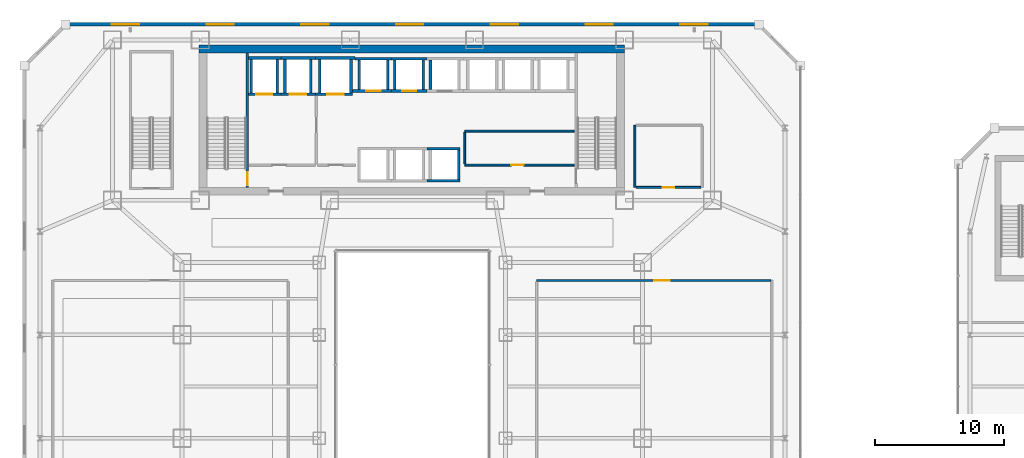
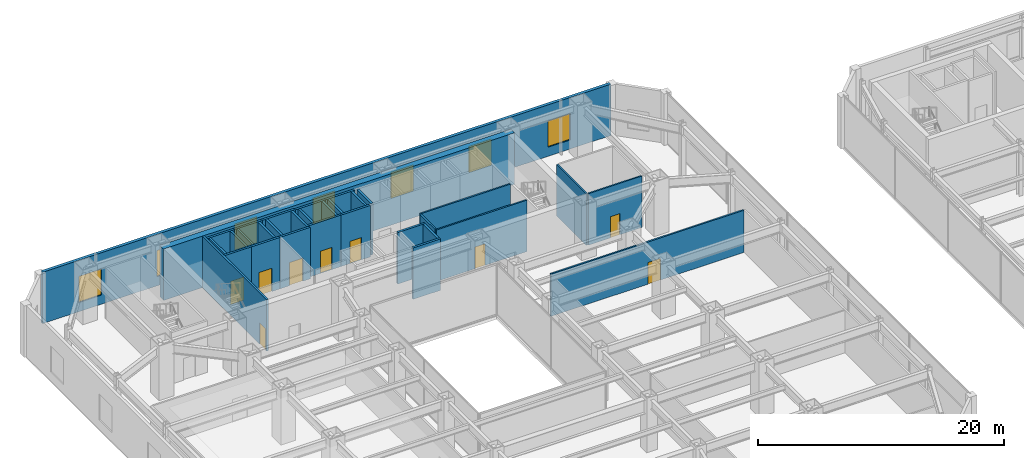
# One storey, part 40 of 51: 33 walls, 9 doors, 7 windows, 16 openings.
"""IFC4 building model written with IfcOpenShell, lengths in metres."""

from ifc_helpers import new_model, si_unit, direction, frame, frame_2d, origin, place, context, subcontext, project, spatial, rectangle, extrude, material, layer, layer_set, type_object, element, fill, save


model = new_model("IFC4")

# Units and contexts
model_context = context("Model", 3, precision=1e-05, world=origin(), true_north=direction((0.0, 1.0)))
body_context = subcontext(model_context, "Body", "Model", "MODEL_VIEW")
ifc_project = project(units=[si_unit("LENGTHUNIT", "METRE"), si_unit("AREAUNIT", "SQUARE_METRE"), si_unit("VOLUMEUNIT", "CUBIC_METRE"), si_unit("PLANEANGLEUNIT", "RADIAN"), si_unit("MASSUNIT", "GRAM", prefix="KILO")], contexts=[model_context])

# Site, building, storey
site_placement = place(None, origin())
site = spatial("IfcSite", under=ifc_project, at=site_placement, CompositionType="ELEMENT")
building_placement = place(site_placement, origin())
building = spatial("IfcBuilding", under=site, at=building_placement, Name="Saevonmaru Cultural Tower", CompositionType="ELEMENT")
storey_placement = place(building_placement, frame((0.0, 0.0, 6.0)))
storey = spatial("IfcBuildingStorey", under=building, at=storey_placement, Name="L01", CompositionType="ELEMENT", Elevation=6.0)

# Wall
ifc_material_1 = material(Name="Concrete C60/75", Category="concrete")
ifc_layer_1 = layer(ifc_material_1, 0.60009765625, Name="Concrete C60/75")
ifc_layer_set_1 = layer_set([ifc_layer_1], Name="Concrete C60/75")
wall_type_1 = type_object("IfcWallType", Name="WL-CORE-600", PredefinedType="SHEAR", material=ifc_layer_set_1)
wall_1_placement = place(storey_placement, frame((13.5, 54.10009765625, 0.0), z_axis=(0.0, 0.0, 1.0), x_axis=(1.0, 0.0, 0.0)))
element("IfcWall", 1, at=wall_1_placement, inside=storey, type_object=wall_type_1, Name="L01 Tower RC core shear wall N", PredefinedType="SHEAR", context=body_context, shape_type="SweptSolid", body=[
    extrude(rectangle(XDim=32.89990234375, YDim=0.60009765625, at=frame_2d((16.449951171875, 0.0))), origin(), (0.0, 0.0, 1.0), 5.10009765625),
])

# Wall, opening, door
ifc_material_2 = material(Name="Gypsum Fireboard Partition", Category="gypsum")
ifc_layer_2 = layer(ifc_material_2, 0.14990234375, Name="Gypsum Fireboard Partition")
ifc_layer_set_2 = layer_set([ifc_layer_2], Name="Gypsum Fireboard Partition")
wall_type_2 = type_object("IfcWallType", Name="WL-CORE-PART-150", PredefinedType="PARTITIONING", material=ifc_layer_set_2)
wall_2_placement = place(storey_placement, frame((34.050048828125, 45.1201171875, 0.0), z_axis=(0.0, 0.0, 1.0), x_axis=(1.0, 0.0, 0.0)))
wall_2 = element("IfcWall", 2, at=wall_2_placement, inside=storey, type_object=wall_type_2, Name="L01 Core Service South Wall", PredefinedType="PARTITIONING", context=body_context, shape_type="SweptSolid", body=[
    extrude(rectangle(XDim=8.449951171875, YDim=0.14990234375, at=frame_2d((4.22509765625, 0.0))), origin(), (0.0, 0.0, 1.0), 5.10009765625),
])
opening_1_placement = place(wall_2_placement, frame((3.60009765625, 0.0, 0.0)))
opening_1 = element("IfcOpeningElement", 3, at=opening_1_placement, cuts=wall_2, Name="Opening FD-4", PredefinedType="OPENING", context=body_context, shape_type="SweptSolid", body=[
    extrude(rectangle(XDim=0.949951171875, YDim=2.14990234375, at=frame_2d((0.47509765625, 1.074951171875))), frame((0.0, 0.0849609375, 0.0), z_axis=(0.0, -1.0, 0.0), x_axis=(1.0, 0.0, 0.0)), (0.0, 0.0, 1.0), 0.169921875),
])
ifc_material_3 = material(Name="Satin Bronze Anodised Aluminium", Category="aluminium")
door_type_1 = type_object("IfcDoorType", Name="DR-FD60-950", OperationType="SINGLE_SWING_LEFT", PredefinedType="DOOR", material=ifc_material_3)
door_1_placement = place(opening_1_placement, origin())
door_1 = element("IfcDoor", 4, at=door_1_placement, inside=storey, type_object=door_type_1, Name="L01 Telecom Riser Plant Door", OperationType="SINGLE_SWING_LEFT", OverallHeight=2.14990234375, OverallWidth=0.949951171875, PredefinedType="DOOR", context=body_context, shape_type="SweptSolid", body=[
    extrude(rectangle(XDim=0.949951171875, YDim=2.14990234375, at=frame_2d((0.47509765625, 1.074951171875))), frame((0.0, 0.02490234375, 0.0), z_axis=(0.0, -1.0, 0.0), x_axis=(1.0, 0.0, 0.0)), (0.0, 0.0, 1.0), 0.050048828125),
])
fill(opening_1, door_1)

# Walls
wall_3_placement = place(storey_placement, frame((34.050048828125, 47.75, 0.0), z_axis=(0.0, 0.0, 1.0), x_axis=(1.0, 0.0, 0.0)))
element("IfcWall", 5, at=wall_3_placement, inside=storey, type_object=wall_type_2, Name="L01 Core Service North Wall", PredefinedType="PARTITIONING", context=body_context, shape_type="SweptSolid", body=[
    extrude(rectangle(XDim=8.449951171875, YDim=0.14990234375, at=frame_2d((4.22509765625, 0.0))), origin(), (0.0, 0.0, 1.0), 5.10009765625),
])
wall_4_placement = place(storey_placement, frame((34.050048828125, 45.219970703125, 0.0), z_axis=(0.0, 0.0, 1.0), x_axis=(0.0, 1.0, 0.0)))
element("IfcWall", 6, at=wall_4_placement, inside=storey, type_object=wall_type_2, Name="L01 Core Service West Wall", PredefinedType="PARTITIONING", context=body_context, shape_type="SweptSolid", body=[
    extrude(rectangle(XDim=2.429931640625, YDim=0.14990234375, at=frame_2d((1.21484375, 0.0))), origin(), (0.0, 0.0, 1.0), 5.10009765625),
])

# Wall, openings, windows
ifc_material_4 = material(Name="Granite-Clad Precast Concrete C40/50", Category="masonry")
ifc_layer_3 = layer(ifc_material_4, 0.280029296875, Name="Granite-Clad Precast Concrete C40/50")
ifc_layer_set_3 = layer_set([ifc_layer_3], Name="Granite-Clad Precast Concrete C40/50")
wall_type_3 = type_object("IfcWallType", Name="WL-EXT-SPANDREL-280", PredefinedType="STANDARD", material=ifc_layer_set_3)
wall_5_placement = place(storey_placement, frame((56.639892578125, 56.0, 0.0), z_axis=(0.0, 0.0, 1.0), x_axis=(-1.0, 0.0, 0.0)))
wall_5 = element("IfcWall", 7, at=wall_5_placement, inside=storey, type_object=wall_type_3, Name="L01 Podium Bronze-Granite Exterior Wall E6", PredefinedType="STANDARD", context=body_context, shape_type="SweptSolid", body=[
    extrude(rectangle(XDim=53.27978515625, YDim=0.280029296875, at=frame_2d((26.639892578125, 0.0))), origin(), (0.0, 0.0, 1.0), 5.10009765625),
])
opening_2_placement = place(wall_5_placement, frame((3.81298828125, 0.0, 0.89990234375)))
opening_2 = element("IfcOpeningElement", 8, at=opening_2_placement, cuts=wall_5, Name="Opening W-1B", PredefinedType="OPENING", context=body_context, shape_type="SweptSolid", body=[
    extrude(rectangle(XDim=2.10009765625, YDim=2.60009765625, at=frame_2d((1.050048828125, 1.300048828125))), frame((0.0, 0.14990234375, 0.0), z_axis=(0.0, -1.0, 0.0), x_axis=(1.0, 0.0, 0.0)), (0.0, 0.0, 1.0), 0.300048828125),
])
opening_3_placement = place(wall_5_placement, frame((11.138916015625, 0.0, 0.89990234375)))
opening_3 = element("IfcOpeningElement", 9, at=opening_3_placement, cuts=wall_5, Name="Opening W-1B", PredefinedType="OPENING", context=body_context, shape_type="SweptSolid", body=[
    extrude(rectangle(XDim=2.10009765625, YDim=2.60009765625, at=frame_2d((1.050048828125, 1.300048828125))), frame((0.0, 0.14990234375, 0.0), z_axis=(0.0, -1.0, 0.0), x_axis=(1.0, 0.0, 0.0)), (0.0, 0.0, 1.0), 0.300048828125),
])
opening_4_placement = place(wall_5_placement, frame((18.464111328125, 0.0, 0.89990234375)))
opening_4 = element("IfcOpeningElement", 10, at=opening_4_placement, cuts=wall_5, Name="Opening W-1B", PredefinedType="OPENING", context=body_context, shape_type="SweptSolid", body=[
    extrude(rectangle(XDim=2.10009765625, YDim=2.60009765625, at=frame_2d((1.050048828125, 1.300048828125))), frame((0.0, 0.14990234375, 0.0), z_axis=(0.0, -1.0, 0.0), x_axis=(1.0, 0.0, 0.0)), (0.0, 0.0, 1.0), 0.300048828125),
])
opening_5_placement = place(wall_5_placement, frame((25.7900390625, 0.0, 0.89990234375)))
opening_5 = element("IfcOpeningElement", 11, at=opening_5_placement, cuts=wall_5, Name="Opening W-1B", PredefinedType="OPENING", context=body_context, shape_type="SweptSolid", body=[
    extrude(rectangle(XDim=2.10009765625, YDim=2.60009765625, at=frame_2d((1.050048828125, 1.300048828125))), frame((0.0, 0.14990234375, 0.0), z_axis=(0.0, -1.0, 0.0), x_axis=(1.0, 0.0, 0.0)), (0.0, 0.0, 1.0), 0.300048828125),
])
opening_6_placement = place(wall_5_placement, frame((33.115966796875, 0.0, 0.89990234375)))
opening_6 = element("IfcOpeningElement", 12, at=opening_6_placement, cuts=wall_5, Name="Opening W-1B", PredefinedType="OPENING", context=body_context, shape_type="SweptSolid", body=[
    extrude(rectangle(XDim=2.10009765625, YDim=2.60009765625, at=frame_2d((1.050048828125, 1.300048828125))), frame((0.0, 0.14990234375, 0.0), z_axis=(0.0, -1.0, 0.0), x_axis=(1.0, 0.0, 0.0)), (0.0, 0.0, 1.0), 0.300048828125),
])
opening_7_placement = place(wall_5_placement, frame((40.44091796875, 0.0, 0.89990234375)))
opening_7 = element("IfcOpeningElement", 13, at=opening_7_placement, cuts=wall_5, Name="Opening W-1B", PredefinedType="OPENING", context=body_context, shape_type="SweptSolid", body=[
    extrude(rectangle(XDim=2.10009765625, YDim=2.60009765625, at=frame_2d((1.050048828125, 1.300048828125))), frame((0.0, 0.14990234375, 0.0), z_axis=(0.0, -1.0, 0.0), x_axis=(1.0, 0.0, 0.0)), (0.0, 0.0, 1.0), 0.300048828125),
])
opening_8_placement = place(wall_5_placement, frame((47.76708984375, 0.0, 0.89990234375)))
opening_8 = element("IfcOpeningElement", 14, at=opening_8_placement, cuts=wall_5, Name="Opening W-1B", PredefinedType="OPENING", context=body_context, shape_type="SweptSolid", body=[
    extrude(rectangle(XDim=2.10009765625, YDim=2.60009765625, at=frame_2d((1.050048828125, 1.300048828125))), frame((0.0, 0.14990234375, 0.0), z_axis=(0.0, -1.0, 0.0), x_axis=(1.0, 0.0, 0.0)), (0.0, 0.0, 1.0), 0.300048828125),
])
window_type = type_object("IfcWindowType", Name="WN-DECO-2100x2600", PartitioningType="DOUBLE_PANEL_VERTICAL", PredefinedType="WINDOW", material=ifc_material_3)
window_1_placement = place(opening_2_placement, origin())
window_1 = element("IfcWindow", 15, at=window_1_placement, inside=storey, type_object=window_type, Name="L01 Art Deco Bronze Window E6-1", OverallHeight=2.60009765625, OverallWidth=2.10009765625, PartitioningType="DOUBLE_PANEL_VERTICAL", PredefinedType="WINDOW", context=body_context, shape_type="SweptSolid", body=[
    extrude(rectangle(XDim=2.10009765625, YDim=2.60009765625, at=frame_2d((1.050048828125, 1.300048828125))), frame((0.0, 0.030029296875, 0.0), z_axis=(0.0, -1.0, 0.0), x_axis=(1.0, 0.0, 0.0)), (0.0, 0.0, 1.0), 0.06005859375),
])
fill(opening_2, window_1)
window_2_placement = place(opening_3_placement, origin())
window_2 = element("IfcWindow", 16, at=window_2_placement, inside=storey, type_object=window_type, Name="L01 Art Deco Bronze Window E6-2", OverallHeight=2.60009765625, OverallWidth=2.10009765625, PartitioningType="DOUBLE_PANEL_VERTICAL", PredefinedType="WINDOW", context=body_context, shape_type="SweptSolid", body=[
    extrude(rectangle(XDim=2.10009765625, YDim=2.60009765625, at=frame_2d((1.050048828125, 1.300048828125))), frame((0.0, 0.030029296875, 0.0), z_axis=(0.0, -1.0, 0.0), x_axis=(1.0, 0.0, 0.0)), (0.0, 0.0, 1.0), 0.06005859375),
])
fill(opening_3, window_2)
window_3_placement = place(opening_4_placement, origin())
window_3 = element("IfcWindow", 17, at=window_3_placement, inside=storey, type_object=window_type, Name="L01 Art Deco Bronze Window E6-3", OverallHeight=2.60009765625, OverallWidth=2.10009765625, PartitioningType="DOUBLE_PANEL_VERTICAL", PredefinedType="WINDOW", context=body_context, shape_type="SweptSolid", body=[
    extrude(rectangle(XDim=2.10009765625, YDim=2.60009765625, at=frame_2d((1.050048828125, 1.300048828125))), frame((0.0, 0.030029296875, 0.0), z_axis=(0.0, -1.0, 0.0), x_axis=(1.0, 0.0, 0.0)), (0.0, 0.0, 1.0), 0.06005859375),
])
fill(opening_4, window_3)
window_4_placement = place(opening_5_placement, origin())
window_4 = element("IfcWindow", 18, at=window_4_placement, inside=storey, type_object=window_type, Name="L01 Art Deco Bronze Window E6-4", OverallHeight=2.60009765625, OverallWidth=2.10009765625, PartitioningType="DOUBLE_PANEL_VERTICAL", PredefinedType="WINDOW", context=body_context, shape_type="SweptSolid", body=[
    extrude(rectangle(XDim=2.10009765625, YDim=2.60009765625, at=frame_2d((1.050048828125, 1.300048828125))), frame((0.0, 0.030029296875, 0.0), z_axis=(0.0, -1.0, 0.0), x_axis=(1.0, 0.0, 0.0)), (0.0, 0.0, 1.0), 0.06005859375),
])
fill(opening_5, window_4)
window_5_placement = place(opening_6_placement, origin())
window_5 = element("IfcWindow", 19, at=window_5_placement, inside=storey, type_object=window_type, Name="L01 Art Deco Bronze Window E6-5", OverallHeight=2.60009765625, OverallWidth=2.10009765625, PartitioningType="DOUBLE_PANEL_VERTICAL", PredefinedType="WINDOW", context=body_context, shape_type="SweptSolid", body=[
    extrude(rectangle(XDim=2.10009765625, YDim=2.60009765625, at=frame_2d((1.050048828125, 1.300048828125))), frame((0.0, 0.030029296875, 0.0), z_axis=(0.0, -1.0, 0.0), x_axis=(1.0, 0.0, 0.0)), (0.0, 0.0, 1.0), 0.06005859375),
])
fill(opening_6, window_5)
window_6_placement = place(opening_7_placement, origin())
window_6 = element("IfcWindow", 20, at=window_6_placement, inside=storey, type_object=window_type, Name="L01 Art Deco Bronze Window E6-6", OverallHeight=2.60009765625, OverallWidth=2.10009765625, PartitioningType="DOUBLE_PANEL_VERTICAL", PredefinedType="WINDOW", context=body_context, shape_type="SweptSolid", body=[
    extrude(rectangle(XDim=2.10009765625, YDim=2.60009765625, at=frame_2d((1.050048828125, 1.300048828125))), frame((0.0, 0.030029296875, 0.0), z_axis=(0.0, -1.0, 0.0), x_axis=(1.0, 0.0, 0.0)), (0.0, 0.0, 1.0), 0.06005859375),
])
fill(opening_7, window_6)
window_7_placement = place(opening_8_placement, origin())
window_7 = element("IfcWindow", 21, at=window_7_placement, inside=storey, type_object=window_type, Name="L01 Art Deco Bronze Window E6-7", OverallHeight=2.60009765625, OverallWidth=2.10009765625, PartitioningType="DOUBLE_PANEL_VERTICAL", PredefinedType="WINDOW", context=body_context, shape_type="SweptSolid", body=[
    extrude(rectangle(XDim=2.10009765625, YDim=2.60009765625, at=frame_2d((1.050048828125, 1.300048828125))), frame((0.0, 0.030029296875, 0.0), z_axis=(0.0, -1.0, 0.0), x_axis=(1.0, 0.0, 0.0)), (0.0, 0.0, 1.0), 0.06005859375),
])
fill(opening_8, window_7)

# Wall, opening, door
ifc_layer_4 = layer(ifc_material_2, 0.14990234375, Name="Gypsum Fireboard Partition")
ifc_layer_set_4 = layer_set([ifc_layer_4], Name="Gypsum Fireboard Partition")
wall_type_4 = type_object("IfcWallType", Name="WL-PART-FIRE-150", PredefinedType="PARTITIONING", material=ifc_layer_set_4)
wall_6_placement = place(storey_placement, frame((39.60009765625, 36.199951171875, 0.0), z_axis=(0.0, 0.0, 1.0), x_axis=(1.0, 0.0, 0.0)))
wall_6 = element("IfcWall", 22, at=wall_6_placement, inside=storey, type_object=wall_type_4, Name="L01 East Gallery North Wall", PredefinedType="PARTITIONING", context=body_context, shape_type="SweptSolid", body=[
    extrude(rectangle(XDim=18.10498046875, YDim=0.14990234375, at=frame_2d((9.052490234375, 0.0))), origin(), (0.0, 0.0, 1.0), 4.18505859375),
])
opening_9_placement = place(wall_6_placement, frame((9.112060546875, 0.0, 0.0)))
opening_9 = element("IfcOpeningElement", 23, at=opening_9_placement, cuts=wall_6, Name="Opening FD-1", PredefinedType="OPENING", context=body_context, shape_type="SweptSolid", body=[
    extrude(rectangle(XDim=1.199951171875, YDim=2.14990234375, at=frame_2d((0.60009765625, 1.074951171875))), frame((0.0, 0.0849609375, 0.0), z_axis=(0.0, -1.0, 0.0), x_axis=(1.0, 0.0, 0.0)), (0.0, 0.0, 1.0), 0.169921875),
])
door_type_2 = type_object("IfcDoorType", Name="DR-FD60-1200", OperationType="DOUBLE_DOOR_SINGLE_SWING", PredefinedType="DOOR", material=ifc_material_3)
door_2_placement = place(opening_9_placement, origin())
door_2 = element("IfcDoor", 24, at=door_2_placement, inside=storey, type_object=door_type_2, Name="L01 Contemporary Gallery Door", OperationType="DOUBLE_DOOR_SINGLE_SWING", OverallHeight=2.14990234375, OverallWidth=1.199951171875, PredefinedType="DOOR", context=body_context, shape_type="SweptSolid", body=[
    extrude(rectangle(XDim=1.199951171875, YDim=2.14990234375, at=frame_2d((0.60009765625, 1.074951171875))), frame((0.0, 0.02490234375, 0.0), z_axis=(0.0, -1.0, 0.0), x_axis=(1.0, 0.0, 0.0)), (0.0, 0.0, 1.0), 0.050048828125),
])
fill(opening_9, door_2)

# Wall
ifc_layer_5 = layer(ifc_material_2, 0.139892578125, Name="Gypsum Fireboard Partition")
ifc_layer_set_5 = layer_set([ifc_layer_5], Name="Gypsum Fireboard Partition")
wall_type_5 = type_object("IfcWallType", Name="WL-PART-WET-140", PredefinedType="PARTITIONING", material=ifc_layer_set_5)
wall_7_placement = place(storey_placement, frame((47.199951171875, 43.39990234375, 0.0), z_axis=(0.0, 0.0, 1.0), x_axis=(0.0, 1.0, 0.0)))
element("IfcWall", 25, at=wall_7_placement, inside=storey, type_object=wall_type_5, Name="L01 Podium Washroom West Wall", PredefinedType="PARTITIONING", context=body_context, shape_type="SweptSolid", body=[
    extrude(rectangle(XDim=4.800048828125, YDim=0.139892578125, at=frame_2d((2.39990234375, 0.0))), origin(), (0.0, 0.0, 1.0), 5.10009765625),
])

# Wall, opening, door
wall_8_placement = place(storey_placement, frame((47.2900390625, 43.39990234375, 0.0), z_axis=(0.0, 0.0, 1.0), x_axis=(1.0, 0.0, 0.0)))
wall_8 = element("IfcWall", 26, at=wall_8_placement, inside=storey, type_object=wall_type_5, Name="L01 Podium Washroom South Wall", PredefinedType="PARTITIONING", context=body_context, shape_type="SweptSolid", body=[
    extrude(rectangle(XDim=5.02001953125, YDim=0.139892578125, at=frame_2d((2.510009765625, 0.0))), origin(), (0.0, 0.0, 1.0), 5.10009765625),
])
opening_10_placement = place(wall_8_placement, frame((2.06005859375, 0.0, 0.0)))
opening_10 = element("IfcOpeningElement", 27, at=opening_10_placement, cuts=wall_8, Name="Opening ID-2", PredefinedType="OPENING", context=body_context, shape_type="SweptSolid", body=[
    extrude(rectangle(XDim=0.89990234375, YDim=2.10009765625, at=frame_2d((0.449951171875, 1.050048828125))), frame((0.0, 0.080078125, 0.0), z_axis=(0.0, -1.0, 0.0), x_axis=(1.0, 0.0, 0.0)), (0.0, 0.0, 1.0), 0.159912109375),
])
ifc_material_5 = material(Name="Acoustic Stained Oak Timber", Category="wood")
door_type_3 = type_object("IfcDoorType", Name="DR-INT-900", OperationType="SINGLE_SWING_RIGHT", PredefinedType="DOOR", material=ifc_material_5)
door_3_placement = place(opening_10_placement, origin())
door_3 = element("IfcDoor", 28, at=door_3_placement, inside=storey, type_object=door_type_3, Name="L01 Accessible Washroom Door", OperationType="SINGLE_SWING_RIGHT", OverallHeight=2.10009765625, OverallWidth=0.89990234375, PredefinedType="DOOR", context=body_context, shape_type="SweptSolid", body=[
    extrude(rectangle(XDim=0.89990234375, YDim=2.10009765625, at=frame_2d((0.449951171875, 1.050048828125))), frame((0.0, 0.02490234375, 0.0), z_axis=(0.0, -1.0, 0.0), x_axis=(1.0, 0.0, 0.0)), (0.0, 0.0, 1.0), 0.050048828125),
])
fill(opening_10, door_3)

ifc_material_6 = material(Name="Concrete C40/50", Category="concrete")
ifc_layer_6 = layer(ifc_material_6, 0.199951171875, Name="Concrete C40/50")
ifc_layer_set_6 = layer_set([ifc_layer_6], Name="Concrete C40/50")
wall_type_6 = type_object("IfcWallType", Name="WL-SHAFT-200", PredefinedType="SHEAR", material=ifc_layer_set_6)
wall_9_placement = place(storey_placement, frame((17.330078125, 50.60009765625, 0.0), z_axis=(0.0, 0.0, 1.0), x_axis=(1.0, 0.0, 0.0)))
wall_9 = element("IfcWall", 29, at=wall_9_placement, inside=storey, type_object=wall_type_6, Name="L01 Lift FFL-1 Hoistway Wall S", PredefinedType="SHEAR", context=body_context, shape_type="SweptSolid", body=[
    extrude(rectangle(XDim=2.52001953125, YDim=0.199951171875, at=frame_2d((1.260009765625, 0.0))), origin(), (0.0, 0.0, 1.0), 5.10009765625),
])
opening_11_placement = place(wall_9_placement, frame((0.594970703125, 0.0, 0.0)))
opening_11 = element("IfcOpeningElement", 30, at=opening_11_placement, cuts=wall_9, Name="Opening LD-2", PredefinedType="OPENING", context=body_context, shape_type="SweptSolid", body=[
    extrude(rectangle(XDim=1.25, YDim=2.300048828125, at=frame_2d((0.625, 1.14990234375))), frame((0.0, 0.10986328125, 0.0), z_axis=(0.0, -1.0, 0.0), x_axis=(1.0, 0.0, 0.0)), (0.0, 0.0, 1.0), 0.219970703125),
])
ifc_material_7 = material(Name="Stainless Steel 316", Category="steel")
door_type_4 = type_object("IfcDoorType", Name="DR-LIFT-1250", OperationType="SLIDING_TO_LEFT", PredefinedType="DOOR", material=ifc_material_7)
door_4_placement = place(opening_11_placement, origin())
door_4 = element("IfcDoor", 31, at=door_4_placement, inside=storey, type_object=door_type_4, Name="L01 Lift FFL-1 Sliding Landing Door", OperationType="SLIDING_TO_LEFT", OverallHeight=2.300048828125, OverallWidth=1.25, PredefinedType="DOOR", context=body_context, shape_type="SweptSolid", body=[
    extrude(rectangle(XDim=1.25, YDim=2.300048828125, at=frame_2d((0.625, 1.14990234375))), frame((0.0, 0.02490234375, 0.0), z_axis=(0.0, -1.0, 0.0), x_axis=(1.0, 0.0, 0.0)), (0.0, 0.0, 1.0), 0.050048828125),
])
fill(opening_11, door_4)

# Walls
wall_10_placement = place(storey_placement, frame((17.330078125, 53.39990234375, 0.0), z_axis=(0.0, 0.0, 1.0), x_axis=(1.0, 0.0, 0.0)))
element("IfcWall", 32, at=wall_10_placement, inside=storey, type_object=wall_type_6, Name="L01 Lift FFL-1 Hoistway Wall N", PredefinedType="SHEAR", context=body_context, shape_type="SweptSolid", body=[
    extrude(rectangle(XDim=2.52001953125, YDim=0.199951171875, at=frame_2d((1.260009765625, 0.0))), origin(), (0.0, 0.0, 1.0), 5.10009765625),
])
for number, where, z_axis, x_axis, name in (
    (33, (17.550048828125, 50.699951171875, 0.0), (0.0, 0.0, 1.0), (0.0, 1.0, 0.0), "L01 Lift FFL-1 Hoistway Wall W"),
    (34, (19.550048828125, 50.699951171875, 0.0), (0.0, 0.0, 1.0), (0.0, 1.0, 0.0), "L01 Lift FFL-1 Hoistway Wall E"),
):
    element("IfcWall", number, at=place(storey_placement, frame(where, z_axis=z_axis, x_axis=x_axis)), inside=storey, type_object=wall_type_6, Name=name, PredefinedType="SHEAR", context=body_context, shape_type="SweptSolid", body=[
        extrude(rectangle(XDim=2.60009765625, YDim=0.199951171875, at=frame_2d((1.300048828125, 0.0))), origin(), (0.0, 0.0, 1.0), 5.10009765625),
    ])

# Wall, opening, door
wall_11_placement = place(storey_placement, frame((19.85009765625, 50.60009765625, 0.0), z_axis=(0.0, 0.0, 1.0), x_axis=(1.0, 0.0, 0.0)))
wall_11 = element("IfcWall", 35, at=wall_11_placement, inside=storey, type_object=wall_type_6, Name="L01 Lift FFL-2 Hoistway Wall S", PredefinedType="SHEAR", context=body_context, shape_type="SweptSolid", body=[
    extrude(rectangle(XDim=2.64990234375, YDim=0.199951171875, at=frame_2d((1.324951171875, 0.0))), origin(), (0.0, 0.0, 1.0), 5.10009765625),
])
opening_12_placement = place(wall_11_placement, frame((0.675048828125, 0.0, 0.0)))
opening_12 = element("IfcOpeningElement", 36, at=opening_12_placement, cuts=wall_11, Name="Opening LD-2", PredefinedType="OPENING", context=body_context, shape_type="SweptSolid", body=[
    extrude(rectangle(XDim=1.25, YDim=2.300048828125, at=frame_2d((0.625, 1.14990234375))), frame((0.0, 0.10986328125, 0.0), z_axis=(0.0, -1.0, 0.0), x_axis=(1.0, 0.0, 0.0)), (0.0, 0.0, 1.0), 0.219970703125),
])
door_5_placement = place(opening_12_placement, origin())
door_5 = element("IfcDoor", 37, at=door_5_placement, inside=storey, type_object=door_type_4, Name="L01 Lift FFL-2 Sliding Landing Door", OperationType="SLIDING_TO_LEFT", OverallHeight=2.300048828125, OverallWidth=1.25, PredefinedType="DOOR", context=body_context, shape_type="SweptSolid", body=[
    extrude(rectangle(XDim=1.25, YDim=2.300048828125, at=frame_2d((0.625, 1.14990234375))), frame((0.0, 0.02490234375, 0.0), z_axis=(0.0, -1.0, 0.0), x_axis=(1.0, 0.0, 0.0)), (0.0, 0.0, 1.0), 0.050048828125),
])
fill(opening_12, door_5)

# Walls
wall_12_placement = place(storey_placement, frame((19.85009765625, 53.39990234375, 0.0), z_axis=(0.0, 0.0, 1.0), x_axis=(1.0, 0.0, 0.0)))
element("IfcWall", 38, at=wall_12_placement, inside=storey, type_object=wall_type_6, Name="L01 Lift FFL-2 Hoistway Wall N", PredefinedType="SHEAR", context=body_context, shape_type="SweptSolid", body=[
    extrude(rectangle(XDim=2.64990234375, YDim=0.199951171875, at=frame_2d((1.324951171875, 0.0))), origin(), (0.0, 0.0, 1.0), 5.10009765625),
])
for number, where, z_axis, x_axis, name in (
    (39, (20.14990234375, 50.699951171875, 0.0), (0.0, 0.0, 1.0), (0.0, 1.0, 0.0), "L01 Lift FFL-2 Hoistway Wall W"),
    (40, (22.14990234375, 50.699951171875, 0.0), (0.0, 0.0, 1.0), (0.0, 1.0, 0.0), "L01 Lift FFL-2 Hoistway Wall E"),
):
    element("IfcWall", number, at=place(storey_placement, frame(where, z_axis=z_axis, x_axis=x_axis)), inside=storey, type_object=wall_type_6, Name=name, PredefinedType="SHEAR", context=body_context, shape_type="SweptSolid", body=[
        extrude(rectangle(XDim=2.60009765625, YDim=0.199951171875, at=frame_2d((1.300048828125, 0.0))), origin(), (0.0, 0.0, 1.0), 5.10009765625),
    ])

# Wall, opening, door
wall_13_placement = place(storey_placement, frame((22.5, 50.60009765625, 0.0), z_axis=(0.0, 0.0, 1.0), x_axis=(1.0, 0.0, 0.0)))
wall_13 = element("IfcWall", 41, at=wall_13_placement, inside=storey, type_object=wall_type_6, Name="L01 Lift GL-1 Hoistway Wall S", PredefinedType="SHEAR", context=body_context, shape_type="SweptSolid", body=[
    extrude(rectangle(XDim=2.85009765625, YDim=0.199951171875, at=frame_2d((1.425048828125, 0.0))), origin(), (0.0, 0.0, 1.0), 5.10009765625),
])
opening_13_placement = place(wall_13_placement, frame((0.925048828125, 0.0, 0.0)))
opening_13 = element("IfcOpeningElement", 42, at=opening_13_placement, cuts=wall_13, Name="Opening LD-2", PredefinedType="OPENING", context=body_context, shape_type="SweptSolid", body=[
    extrude(rectangle(XDim=1.25, YDim=2.300048828125, at=frame_2d((0.625, 1.14990234375))), frame((0.0, 0.10986328125, 0.0), z_axis=(0.0, -1.0, 0.0), x_axis=(1.0, 0.0, 0.0)), (0.0, 0.0, 1.0), 0.219970703125),
])
door_6_placement = place(opening_13_placement, origin())
door_6 = element("IfcDoor", 43, at=door_6_placement, inside=storey, type_object=door_type_4, Name="L01 Lift GL-1 Sliding Landing Door", OperationType="SLIDING_TO_LEFT", OverallHeight=2.300048828125, OverallWidth=1.25, PredefinedType="DOOR", context=body_context, shape_type="SweptSolid", body=[
    extrude(rectangle(XDim=1.25, YDim=2.300048828125, at=frame_2d((0.625, 1.14990234375))), frame((0.0, 0.02490234375, 0.0), z_axis=(0.0, -1.0, 0.0), x_axis=(1.0, 0.0, 0.0)), (0.0, 0.0, 1.0), 0.050048828125),
])
fill(opening_13, door_6)

# Walls
wall_14_placement = place(storey_placement, frame((22.5, 53.39990234375, 0.0), z_axis=(0.0, 0.0, 1.0), x_axis=(1.0, 0.0, 0.0)))
element("IfcWall", 44, at=wall_14_placement, inside=storey, type_object=wall_type_6, Name="L01 Lift GL-1 Hoistway Wall N", PredefinedType="SHEAR", context=body_context, shape_type="SweptSolid", body=[
    extrude(rectangle(XDim=3.074951171875, YDim=0.199951171875, at=frame_2d((1.53759765625, 0.0))), origin(), (0.0, 0.0, 1.0), 5.10009765625),
])
for number, where, z_axis, x_axis, name in (
    (45, (22.85009765625, 50.699951171875, 0.0), (0.0, 0.0, 1.0), (0.0, 1.0, 0.0), "L01 Lift GL-1 Hoistway Wall W"),
    (46, (25.25, 50.699951171875, 0.0), (0.0, 0.0, 1.0), (0.0, 1.0, 0.0), "L01 Lift GL-1 Hoistway Wall E"),
):
    element("IfcWall", number, at=place(storey_placement, frame(where, z_axis=z_axis, x_axis=x_axis)), inside=storey, type_object=wall_type_6, Name=name, PredefinedType="SHEAR", context=body_context, shape_type="SweptSolid", body=[
        extrude(rectangle(XDim=2.60009765625, YDim=0.199951171875, at=frame_2d((1.300048828125, 0.0))), origin(), (0.0, 0.0, 1.0), 5.10009765625),
    ])

# Wall, opening, door
wall_15_placement = place(storey_placement, frame((25.35009765625, 50.85009765625, 0.0), z_axis=(0.0, 0.0, 1.0), x_axis=(1.0, 0.0, 0.0)))
wall_15 = element("IfcWall", 47, at=wall_15_placement, inside=storey, type_object=wall_type_6, Name="L01 Lift PL-L1 Hoistway Wall S", PredefinedType="SHEAR", context=body_context, shape_type="SweptSolid", body=[
    extrude(rectangle(XDim=3.02490234375, YDim=0.199951171875, at=frame_2d((1.512451171875, 0.0))), origin(), (0.0, 0.0, 1.0), 5.10009765625),
])
opening_14_placement = place(wall_15_placement, frame((1.10009765625, 0.0, 0.0)))
opening_14 = element("IfcOpeningElement", 48, at=opening_14_placement, cuts=wall_15, Name="Opening LD-1", PredefinedType="OPENING", context=body_context, shape_type="SweptSolid", body=[
    extrude(rectangle(XDim=1.10009765625, YDim=2.199951171875, at=frame_2d((0.550048828125, 1.10009765625))), frame((0.0, 0.10986328125, 0.0), z_axis=(0.0, -1.0, 0.0), x_axis=(1.0, 0.0, 0.0)), (0.0, 0.0, 1.0), 0.219970703125),
])
ifc_material_8 = material(Name="Satin Bronze Stainless Steel", Category="steel")
door_type_5 = type_object("IfcDoorType", Name="DR-LIFT-1100", OperationType="SLIDING_TO_LEFT", PredefinedType="DOOR", material=ifc_material_8)
door_7_placement = place(opening_14_placement, origin())
door_7 = element("IfcDoor", 49, at=door_7_placement, inside=storey, type_object=door_type_5, Name="L01 Lift PL-L1 Sliding Landing Door", OperationType="SLIDING_TO_LEFT", OverallHeight=2.199951171875, OverallWidth=1.10009765625, PredefinedType="DOOR", context=body_context, shape_type="SweptSolid", body=[
    extrude(rectangle(XDim=1.10009765625, YDim=2.199951171875, at=frame_2d((0.550048828125, 1.10009765625))), frame((0.0, 0.02490234375, 0.0), z_axis=(0.0, -1.0, 0.0), x_axis=(1.0, 0.0, 0.0)), (0.0, 0.0, 1.0), 0.050048828125),
])
fill(opening_14, door_7)

# Walls
wall_16_placement = place(storey_placement, frame((25.574951171875, 53.35009765625, 0.0), z_axis=(0.0, 0.0, 1.0), x_axis=(1.0, 0.0, 0.0)))
element("IfcWall", 50, at=wall_16_placement, inside=storey, type_object=wall_type_6, Name="L01 Lift PL-L1 Hoistway Wall N", PredefinedType="SHEAR", context=body_context, shape_type="SweptSolid", body=[
    extrude(rectangle(XDim=2.800048828125, YDim=0.199951171875, at=frame_2d((1.39990234375, 0.0))), origin(), (0.0, 0.0, 1.0), 5.10009765625),
])
for number, where, z_axis, x_axis, name in (
    (51, (25.89990234375, 50.949951171875, 0.0), (0.0, 0.0, 1.0), (0.0, 1.0, 0.0), "L01 Lift PL-L1 Hoistway Wall W"),
    (52, (28.10009765625, 50.949951171875, 0.0), (0.0, 0.0, 1.0), (0.0, 1.0, 0.0), "L01 Lift PL-L1 Hoistway Wall E"),
):
    element("IfcWall", number, at=place(storey_placement, frame(where, z_axis=z_axis, x_axis=x_axis)), inside=storey, type_object=wall_type_6, Name=name, PredefinedType="SHEAR", context=body_context, shape_type="SweptSolid", body=[
        extrude(rectangle(XDim=2.300048828125, YDim=0.199951171875, at=frame_2d((1.14990234375, 0.0))), origin(), (0.0, 0.0, 1.0), 5.10009765625),
    ])

# Wall, opening, door
wall_17_placement = place(storey_placement, frame((28.375, 50.85009765625, 0.0), z_axis=(0.0, 0.0, 1.0), x_axis=(1.0, 0.0, 0.0)))
wall_17 = element("IfcWall", 53, at=wall_17_placement, inside=storey, type_object=wall_type_6, Name="L01 Lift PL-L2 Hoistway Wall S", PredefinedType="SHEAR", context=body_context, shape_type="SweptSolid", body=[
    extrude(rectangle(XDim=2.75, YDim=0.199951171875, at=frame_2d((1.375, 0.0))), origin(), (0.0, 0.0, 1.0), 5.10009765625),
])
opening_15_placement = place(wall_17_placement, frame((0.824951171875, 0.0, 0.0)))
opening_15 = element("IfcOpeningElement", 54, at=opening_15_placement, cuts=wall_17, Name="Opening LD-1", PredefinedType="OPENING", context=body_context, shape_type="SweptSolid", body=[
    extrude(rectangle(XDim=1.10009765625, YDim=2.199951171875, at=frame_2d((0.550048828125, 1.10009765625))), frame((0.0, 0.10986328125, 0.0), z_axis=(0.0, -1.0, 0.0), x_axis=(1.0, 0.0, 0.0)), (0.0, 0.0, 1.0), 0.219970703125),
])
door_8_placement = place(opening_15_placement, origin())
door_8 = element("IfcDoor", 55, at=door_8_placement, inside=storey, type_object=door_type_5, Name="L01 Lift PL-L2 Sliding Landing Door", OperationType="SLIDING_TO_LEFT", OverallHeight=2.199951171875, OverallWidth=1.10009765625, PredefinedType="DOOR", context=body_context, shape_type="SweptSolid", body=[
    extrude(rectangle(XDim=1.10009765625, YDim=2.199951171875, at=frame_2d((0.550048828125, 1.10009765625))), frame((0.0, 0.02490234375, 0.0), z_axis=(0.0, -1.0, 0.0), x_axis=(1.0, 0.0, 0.0)), (0.0, 0.0, 1.0), 0.050048828125),
])
fill(opening_15, door_8)

# Walls
wall_18_placement = place(storey_placement, frame((28.375, 53.35009765625, 0.0), z_axis=(0.0, 0.0, 1.0), x_axis=(1.0, 0.0, 0.0)))
element("IfcWall", 56, at=wall_18_placement, inside=storey, type_object=wall_type_6, Name="L01 Lift PL-L2 Hoistway Wall N", PredefinedType="SHEAR", context=body_context, shape_type="SweptSolid", body=[
    extrude(rectangle(XDim=2.75, YDim=0.199951171875, at=frame_2d((1.375, 0.0))), origin(), (0.0, 0.0, 1.0), 5.10009765625),
])
for number, where, z_axis, x_axis, name in (
    (57, (28.64990234375, 50.949951171875, 0.0), (0.0, 0.0, 1.0), (0.0, 1.0, 0.0), "L01 Lift PL-L2 Hoistway Wall W"),
    (58, (30.85009765625, 50.949951171875, 0.0), (0.0, 0.0, 1.0), (0.0, 1.0, 0.0), "L01 Lift PL-L2 Hoistway Wall E"),
    (59, (31.39990234375, 50.949951171875, 0.0), (0.0, 0.0, 1.0), (0.0, 1.0, 0.0), "L01 Lift PL-L3 Hoistway Wall W"),
):
    element("IfcWall", number, at=place(storey_placement, frame(where, z_axis=z_axis, x_axis=x_axis)), inside=storey, type_object=wall_type_6, Name=name, PredefinedType="SHEAR", context=body_context, shape_type="SweptSolid", body=[
        extrude(rectangle(XDim=2.300048828125, YDim=0.199951171875, at=frame_2d((1.14990234375, 0.0))), origin(), (0.0, 0.0, 1.0), 5.10009765625),
    ])
for number, where, z_axis, x_axis, name in (
    (60, (31.125, 43.89990234375, 0.0), (0.0, 0.0, 1.0), (1.0, 0.0, 0.0), "L01 Lift PL-M3 Hoistway Wall S"),
    (61, (31.125, 46.39990234375, 0.0), (0.0, 0.0, 1.0), (1.0, 0.0, 0.0), "L01 Lift PL-M3 Hoistway Wall N"),
):
    element("IfcWall", number, at=place(storey_placement, frame(where, z_axis=z_axis, x_axis=x_axis)), inside=storey, type_object=wall_type_6, Name=name, PredefinedType="SHEAR", context=body_context, shape_type="SweptSolid", body=[
        extrude(rectangle(XDim=2.574951171875, YDim=0.199951171875, at=frame_2d((1.28759765625, 0.0))), origin(), (0.0, 0.0, 1.0), 5.10009765625),
    ])
wall_19_placement = place(storey_placement, frame((33.60009765625, 44.0, 0.0), z_axis=(0.0, 0.0, 1.0), x_axis=(0.0, 1.0, 0.0)))
element("IfcWall", 62, at=wall_19_placement, inside=storey, type_object=wall_type_6, Name="L01 Lift PL-M3 Hoistway Wall E", PredefinedType="SHEAR", context=body_context, shape_type="SweptSolid", body=[
    extrude(rectangle(XDim=2.300048828125, YDim=0.199951171875, at=frame_2d((1.14990234375, 0.0))), origin(), (0.0, 0.0, 1.0), 5.10009765625),
])

# Wall, opening, door
ifc_layer_7 = layer(ifc_material_6, 0.179931640625, Name="Concrete C40/50")
ifc_layer_set_7 = layer_set([ifc_layer_7], Name="Concrete C40/50")
wall_type_7 = type_object("IfcWallType", Name="WL-STSHAFT-180", PredefinedType="SHEAR", material=ifc_layer_set_7)
wall_20_placement = place(storey_placement, frame((17.239990234375, 43.39990234375, 0.0), z_axis=(0.0, 0.0, 1.0), x_axis=(0.0, 1.0, 0.0)))
wall_20 = element("IfcWall", 63, at=wall_20_placement, inside=storey, type_object=wall_type_7, Name="L01 Stair ST-1 Structural Shaft Wall 1", PredefinedType="SHEAR", context=body_context, shape_type="SweptSolid", body=[
    extrude(rectangle(XDim=10.400146484375, YDim=0.179931640625, at=frame_2d((5.2001953125, 0.0))), origin(), (0.0, 0.0, 1.0), 5.10009765625),
])
opening_16_placement = place(wall_20_placement, frame((0.159912109375, 0.0, 0.0)))
opening_16 = element("IfcOpeningElement", 64, at=opening_16_placement, cuts=wall_20, Name="Opening FD-3", PredefinedType="OPENING", context=body_context, shape_type="SweptSolid", body=[
    extrude(rectangle(XDim=1.0, YDim=2.14990234375, at=frame_2d((0.5, 1.074951171875))), frame((0.0, 0.10009765625, 0.0), z_axis=(0.0, -1.0, 0.0), x_axis=(1.0, 0.0, 0.0)), (0.0, 0.0, 1.0), 0.199951171875),
])
door_type_6 = type_object("IfcDoorType", Name="DR-FD60-1000", OperationType="SINGLE_SWING_RIGHT", PredefinedType="DOOR", material=ifc_material_3)
door_9_placement = place(opening_16_placement, origin())
door_9 = element("IfcDoor", 65, at=door_9_placement, inside=storey, type_object=door_type_6, Name="L01 Protected Stair ST-1 Fire Door", OperationType="SINGLE_SWING_RIGHT", OverallHeight=2.14990234375, OverallWidth=1.0, PredefinedType="DOOR", context=body_context, shape_type="SweptSolid", body=[
    extrude(rectangle(XDim=1.0, YDim=2.14990234375, at=frame_2d((0.5, 1.074951171875))), frame((0.0, 0.02490234375, 0.0), z_axis=(0.0, -1.0, 0.0), x_axis=(1.0, 0.0, 0.0)), (0.0, 0.0, 1.0), 0.050048828125),
])
fill(opening_16, door_9)

save(model, "model.ifc")
